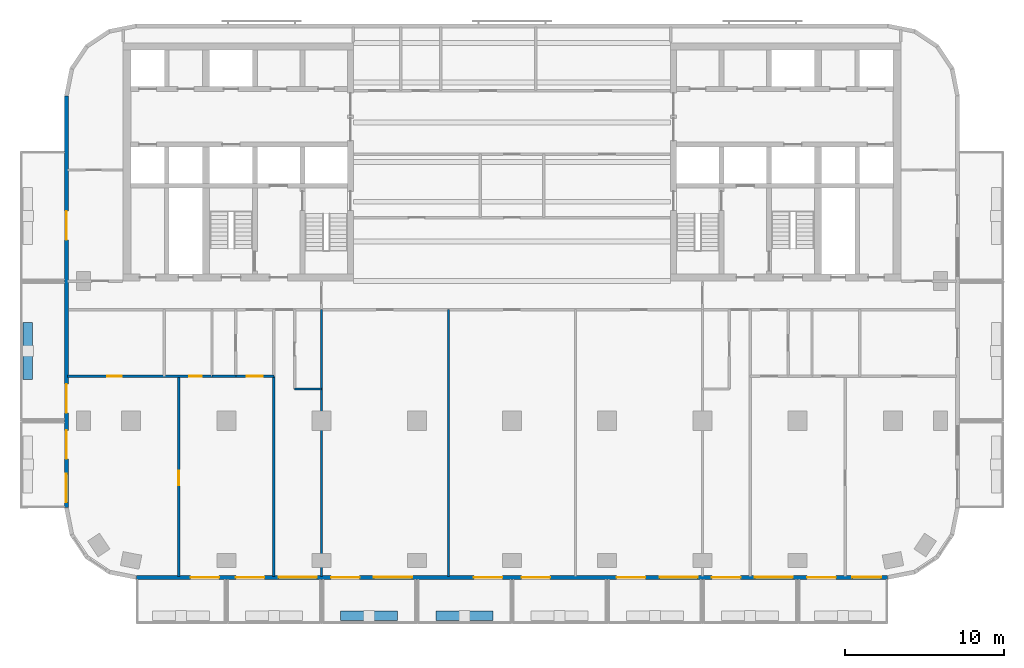
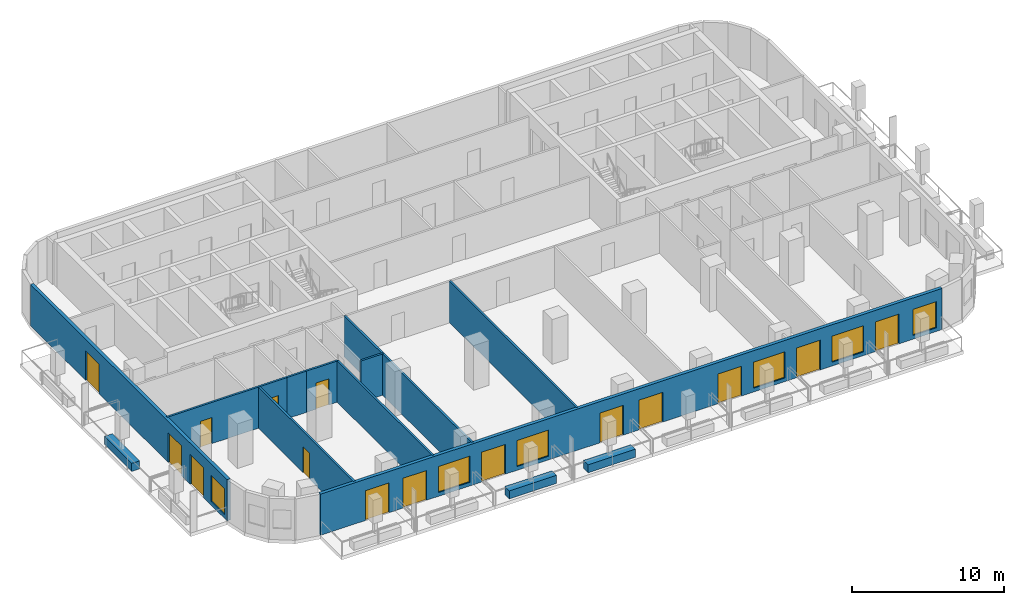
# One storey, part 2 of 11: 15 doors, 13 walls, 6 windows, 21 openings.
"""IFC4 building model written with IfcOpenShell, lengths in metres."""

from ifc_helpers import new_model, si_unit, direction, frame, frame_2d, origin, place, context, subcontext, project, spatial, rectangle, extrude, material, layer, layer_set, type_object, element, fill, save


model = new_model("IFC4")

# Units and contexts
model_context = context("Model", 3, precision=1e-05, world=origin(), true_north=direction((0.0, 1.0)))
body_context = subcontext(model_context, "Body", "Model", "MODEL_VIEW")
ifc_project = project(units=[si_unit("LENGTHUNIT", "METRE"), si_unit("AREAUNIT", "SQUARE_METRE"), si_unit("VOLUMEUNIT", "CUBIC_METRE"), si_unit("PLANEANGLEUNIT", "RADIAN"), si_unit("MASSUNIT", "GRAM", prefix="KILO")], contexts=[model_context])

# Site, building, storey
site_placement = place(None, origin())
site = spatial("IfcSite", under=ifc_project, at=site_placement, CompositionType="ELEMENT")
building_placement = place(site_placement, origin())
building = spatial("IfcBuilding", under=site, at=building_placement, Name="Torana Hotel and Residences", CompositionType="ELEMENT")
storey_placement = place(building_placement, frame((0.0, 0.0, 148.800048828125)))
storey = spatial("IfcBuildingStorey", under=building, at=storey_placement, Name="L38", CompositionType="ELEMENT", Elevation=148.800048828125)

# Wall, openings, doors, window
ifc_material_1 = material(Name="Black aluminium composite panel", Category="aluminium")
ifc_layer_1 = layer(ifc_material_1, 0.00390625, Name="Cladding", Category="cladding")
ifc_material_2 = material(Name="Ventilated air cavity")
ifc_layer_2 = layer(ifc_material_2, 0.0400390625, Name="Ventilated cavity", Category="cavity")
ifc_material_3 = material(Name="Mineral wool insulation")
ifc_layer_3 = layer(ifc_material_3, 0.090087890625, Name="Insulation", Category="insulation")
ifc_material_4 = material(Name="Steel S280GD", Category="steel")
ifc_layer_4 = layer(ifc_material_4, 0.092041015625, Name="Steel stud frame", Category="structure")
ifc_material_5 = material(Name="Fire rated plasterboard")
ifc_layer_5 = layer(ifc_material_5, 0.011962890625, Name="Inner board", Category="finish")
ifc_layer_6 = layer(ifc_material_5, 0.011962890625, Name="Second board", Category="finish")
ifc_layer_set_1 = layer_set([ifc_layer_1, ifc_layer_2, ifc_layer_3, ifc_layer_4, ifc_layer_5, ifc_layer_6], Name="EW1 EXTERNAL WALL BLACK METAL CLAD 250")
wall_type_1 = type_object("IfcWallType", Name="EW1 EXTERNAL WALL BLACK METAL CLAD 250", PredefinedType="SOLIDWALL", material=ifc_layer_set_1)
wall_1_placement = place(storey_placement, frame((-28.074951171875, -3.32470703125, 0.0), z_axis=(0.0, 0.0, 1.0), x_axis=(0.0, -1.0, 0.0)))
wall_1 = element("IfcWall", 1, at=wall_1_placement, inside=storey, type_object=wall_type_1, Name="External wall L38 e0.9", PredefinedType="SOLIDWALL", context=body_context, shape_type="SweptSolid", body=[
    extrude(rectangle(XDim=25.95068359375, YDim=0.25, at=frame_2d((12.975341796875, 0.0))), origin(), (0.0, 0.0, 1.0), 3.320068359375),
])
opening_1_placement = place(wall_1_placement, frame((7.275390625, 0.0, 0.0)))
opening_1 = element("IfcOpeningElement", 2, at=opening_1_placement, cuts=wall_1, Name="Opening L38-E12", PredefinedType="OPENING", context=body_context, shape_type="SweptSolid", body=[
    extrude(rectangle(XDim=1.800048828125, YDim=2.39990234375, at=frame_2d((0.89990234375, 1.199951171875))), frame((0.0, 0.135009765625, 0.0), z_axis=(0.0, -1.0, 0.0), x_axis=(1.0, 0.0, 0.0)), (0.0, 0.0, 1.0), 0.27001953125),
])
opening_2_placement = place(wall_1_placement, frame((18.17529296875, 0.0, 0.0)))
opening_2 = element("IfcOpeningElement", 3, at=opening_2_placement, cuts=wall_1, Name="Opening L38-E13", PredefinedType="OPENING", context=body_context, shape_type="SweptSolid", body=[
    extrude(rectangle(XDim=1.800048828125, YDim=2.39990234375, at=frame_2d((0.89990234375, 1.199951171875))), frame((0.0, 0.135009765625, 0.0), z_axis=(0.0, -1.0, 0.0), x_axis=(1.0, 0.0, 0.0)), (0.0, 0.0, 1.0), 0.27001953125),
])
opening_3_placement = place(wall_1_placement, frame((21.075439453125, 0.0, 0.0)))
opening_3 = element("IfcOpeningElement", 4, at=opening_3_placement, cuts=wall_1, Name="Opening L38-E14", PredefinedType="OPENING", context=body_context, shape_type="SweptSolid", body=[
    extrude(rectangle(XDim=1.800048828125, YDim=2.39990234375, at=frame_2d((0.89990234375, 1.199951171875))), frame((0.0, 0.135009765625, 0.0), z_axis=(0.0, -1.0, 0.0), x_axis=(1.0, 0.0, 0.0)), (0.0, 0.0, 1.0), 0.27001953125),
])
opening_4_placement = place(wall_1_placement, frame((23.825439453125, 0.0, 0.300048828125)))
opening_4 = element("IfcOpeningElement", 5, at=opening_4_placement, cuts=wall_1, Name="Opening W2", PredefinedType="OPENING", context=body_context, shape_type="SweptSolid", body=[
    extrude(rectangle(XDim=1.800048828125, YDim=2.10009765625, at=frame_2d((0.89990234375, 1.050048828125))), frame((0.0, 0.135009765625, 0.0), z_axis=(0.0, -1.0, 0.0), x_axis=(1.0, 0.0, 0.0)), (0.0, 0.0, 1.0), 0.27001953125),
])
ifc_material_6 = material(Name="Dark glass in black aluminium frame", Category="aluminium")
door_type_1 = type_object("IfcDoorType", Name="DB1 BALCONY DOOR 1800x2400", OperationType="DOUBLE_DOOR_SINGLE_SWING", PredefinedType="DOOR", material=ifc_material_6)
door_1_placement = place(opening_1_placement, origin())
door_1 = element("IfcDoor", 6, at=door_1_placement, inside=storey, type_object=door_type_1, Name="Balcony door L38", OperationType="DOUBLE_DOOR_SINGLE_SWING", OverallHeight=2.39990234375, OverallWidth=1.800048828125, PredefinedType="DOOR", context=body_context, shape_type="SweptSolid", body=[
    extrude(rectangle(XDim=1.800048828125, YDim=2.39990234375, at=frame_2d((0.89990234375, 1.199951171875))), frame((0.0, 0.02490234375, 0.0), z_axis=(0.0, -1.0, 0.0), x_axis=(1.0, 0.0, 0.0)), (0.0, 0.0, 1.0), 0.050048828125),
])
fill(opening_1, door_1)
door_2_placement = place(opening_2_placement, frame((0.89990234375, 0.0, 0.0), z_axis=(0.0, 0.0, 1.0), x_axis=(-1.0, 0.0, 0.0)))
door_2 = element("IfcDoor", 7, at=door_2_placement, inside=storey, type_object=door_type_1, Name="Balcony door L38", OperationType="DOUBLE_DOOR_SINGLE_SWING", OverallHeight=2.39990234375, OverallWidth=1.800048828125, PredefinedType="DOOR", context=body_context, shape_type="SweptSolid", body=[
    extrude(rectangle(XDim=1.800048828125, YDim=2.39990234375, at=frame_2d((0.0, 1.199951171875))), frame((0.0, -0.02490234375, 0.0), z_axis=(0.0, 1.0, 0.0), x_axis=(-1.0, 0.0, 0.0)), (0.0, 0.0, 1.0), 0.050048828125),
])
fill(opening_2, door_2)
door_3_placement = place(opening_3_placement, origin())
door_3 = element("IfcDoor", 8, at=door_3_placement, inside=storey, type_object=door_type_1, Name="Balcony door L38", OperationType="DOUBLE_DOOR_SINGLE_SWING", OverallHeight=2.39990234375, OverallWidth=1.800048828125, PredefinedType="DOOR", context=body_context, shape_type="SweptSolid", body=[
    extrude(rectangle(XDim=1.800048828125, YDim=2.39990234375, at=frame_2d((0.89990234375, 1.199951171875))), frame((0.0, 0.02490234375, 0.0), z_axis=(0.0, -1.0, 0.0), x_axis=(1.0, 0.0, 0.0)), (0.0, 0.0, 1.0), 0.050048828125),
])
fill(opening_3, door_3)
ifc_material_7 = material(Name="Dark glass in black aluminium frame", Category="aluminium")
window_type_1 = type_object("IfcWindowType", Name="W2 HOTEL ROOM WINDOW NARROW 1800x2100", PartitioningType="SINGLE_PANEL", PredefinedType="WINDOW", material=ifc_material_7)
window_1_placement = place(opening_4_placement, origin())
window_1 = element("IfcWindow", 9, at=window_1_placement, inside=storey, type_object=window_type_1, Name="Window L38", OverallHeight=2.10009765625, OverallWidth=1.800048828125, PartitioningType="SINGLE_PANEL", PredefinedType="WINDOW", context=body_context, shape_type="SweptSolid", body=[
    extrude(rectangle(XDim=1.800048828125, YDim=2.10009765625, at=frame_2d((0.89990234375, 1.050048828125))), frame((0.0, 0.030029296875, 0.0), z_axis=(0.0, -1.0, 0.0), x_axis=(1.0, 0.0, 0.0)), (0.0, 0.0, 1.0), 0.06005859375),
])
fill(opening_4, window_1)

# Wall, openings, doors, windows
wall_2_placement = place(storey_placement, frame((-23.67529296875, -33.675048828125, 0.0), z_axis=(0.0, 0.0, 1.0), x_axis=(1.0, 0.0, 0.0)))
wall_2 = element("IfcWall", 10, at=wall_2_placement, inside=storey, type_object=wall_type_1, Name="External wall L38 e0.14", PredefinedType="SOLIDWALL", context=body_context, shape_type="SweptSolid", body=[
    extrude(rectangle(XDim=47.3505859375, YDim=0.25, at=frame_2d((23.67529296875, 0.0))), origin(), (0.0, 0.0, 1.0), 3.320068359375),
])
opening_5_placement = place(wall_2_placement, frame((3.42529296875, 0.0, 0.0)))
opening_5 = element("IfcOpeningElement", 11, at=opening_5_placement, cuts=wall_2, Name="Opening L38-E01", PredefinedType="OPENING", context=body_context, shape_type="SweptSolid", body=[
    extrude(rectangle(XDim=1.800048828125, YDim=2.39990234375, at=frame_2d((0.89990234375, 1.199951171875))), frame((0.0, 0.135009765625, 0.0), z_axis=(0.0, -1.0, 0.0), x_axis=(1.0, 0.0, 0.0)), (0.0, 0.0, 1.0), 0.27001953125),
])
opening_6_placement = place(wall_2_placement, frame((6.275390625, 0.0, 0.0)))
opening_6 = element("IfcOpeningElement", 12, at=opening_6_placement, cuts=wall_2, Name="Opening L38-E02", PredefinedType="OPENING", context=body_context, shape_type="SweptSolid", body=[
    extrude(rectangle(XDim=1.800048828125, YDim=2.39990234375, at=frame_2d((0.89990234375, 1.199951171875))), frame((0.0, 0.135009765625, 0.0), z_axis=(0.0, -1.0, 0.0), x_axis=(1.0, 0.0, 0.0)), (0.0, 0.0, 1.0), 0.27001953125),
])
opening_7_placement = place(wall_2_placement, frame((8.975341796875, 0.0, 0.300048828125)))
opening_7 = element("IfcOpeningElement", 13, at=opening_7_placement, cuts=wall_2, Name="Opening W1", PredefinedType="OPENING", context=body_context, shape_type="SweptSolid", body=[
    extrude(rectangle(XDim=2.39990234375, YDim=2.10009765625, at=frame_2d((1.199951171875, 1.050048828125))), frame((0.0, 0.135009765625, 0.0), z_axis=(0.0, -1.0, 0.0), x_axis=(1.0, 0.0, 0.0)), (0.0, 0.0, 1.0), 0.27001953125),
])
opening_8_placement = place(wall_2_placement, frame((12.275390625, 0.0, 0.0)))
opening_8 = element("IfcOpeningElement", 14, at=opening_8_placement, cuts=wall_2, Name="Opening L38-E03", PredefinedType="OPENING", context=body_context, shape_type="SweptSolid", body=[
    extrude(rectangle(XDim=1.800048828125, YDim=2.39990234375, at=frame_2d((0.89990234375, 1.199951171875))), frame((0.0, 0.135009765625, 0.0), z_axis=(0.0, -1.0, 0.0), x_axis=(1.0, 0.0, 0.0)), (0.0, 0.0, 1.0), 0.27001953125),
])
opening_9_placement = place(wall_2_placement, frame((14.975341796875, 0.0, 0.300048828125)))
opening_9 = element("IfcOpeningElement", 15, at=opening_9_placement, cuts=wall_2, Name="Opening W1", PredefinedType="OPENING", context=body_context, shape_type="SweptSolid", body=[
    extrude(rectangle(XDim=2.39990234375, YDim=2.10009765625, at=frame_2d((1.199951171875, 1.050048828125))), frame((0.0, 0.135009765625, 0.0), z_axis=(0.0, -1.0, 0.0), x_axis=(1.0, 0.0, 0.0)), (0.0, 0.0, 1.0), 0.27001953125),
])
opening_10_placement = place(wall_2_placement, frame((21.275390625, 0.0, 0.0)))
opening_10 = element("IfcOpeningElement", 16, at=opening_10_placement, cuts=wall_2, Name="Opening L38-E04", PredefinedType="OPENING", context=body_context, shape_type="SweptSolid", body=[
    extrude(rectangle(XDim=1.800048828125, YDim=2.39990234375, at=frame_2d((0.89990234375, 1.199951171875))), frame((0.0, 0.135009765625, 0.0), z_axis=(0.0, -1.0, 0.0), x_axis=(1.0, 0.0, 0.0)), (0.0, 0.0, 1.0), 0.27001953125),
])
opening_11_placement = place(wall_2_placement, frame((24.275390625, 0.0, 0.0)))
opening_11 = element("IfcOpeningElement", 17, at=opening_11_placement, cuts=wall_2, Name="Opening L38-E05", PredefinedType="OPENING", context=body_context, shape_type="SweptSolid", body=[
    extrude(rectangle(XDim=1.800048828125, YDim=2.39990234375, at=frame_2d((0.89990234375, 1.199951171875))), frame((0.0, 0.135009765625, 0.0), z_axis=(0.0, -1.0, 0.0), x_axis=(1.0, 0.0, 0.0)), (0.0, 0.0, 1.0), 0.27001953125),
])
opening_12_placement = place(wall_2_placement, frame((30.275390625, 0.0, 0.0)))
opening_12 = element("IfcOpeningElement", 18, at=opening_12_placement, cuts=wall_2, Name="Opening L38-E06", PredefinedType="OPENING", context=body_context, shape_type="SweptSolid", body=[
    extrude(rectangle(XDim=1.800048828125, YDim=2.39990234375, at=frame_2d((0.89990234375, 1.199951171875))), frame((0.0, 0.135009765625, 0.0), z_axis=(0.0, -1.0, 0.0), x_axis=(1.0, 0.0, 0.0)), (0.0, 0.0, 1.0), 0.27001953125),
])
opening_13_placement = place(wall_2_placement, frame((32.975341796875, 0.0, 0.300048828125)))
opening_13 = element("IfcOpeningElement", 19, at=opening_13_placement, cuts=wall_2, Name="Opening W1", PredefinedType="OPENING", context=body_context, shape_type="SweptSolid", body=[
    extrude(rectangle(XDim=2.39990234375, YDim=2.10009765625, at=frame_2d((1.199951171875, 1.050048828125))), frame((0.0, 0.135009765625, 0.0), z_axis=(0.0, -1.0, 0.0), x_axis=(1.0, 0.0, 0.0)), (0.0, 0.0, 1.0), 0.27001953125),
])
opening_14_placement = place(wall_2_placement, frame((36.275390625, 0.0, 0.0)))
opening_14 = element("IfcOpeningElement", 20, at=opening_14_placement, cuts=wall_2, Name="Opening L38-E07", PredefinedType="OPENING", context=body_context, shape_type="SweptSolid", body=[
    extrude(rectangle(XDim=1.800048828125, YDim=2.39990234375, at=frame_2d((0.89990234375, 1.199951171875))), frame((0.0, 0.135009765625, 0.0), z_axis=(0.0, -1.0, 0.0), x_axis=(1.0, 0.0, 0.0)), (0.0, 0.0, 1.0), 0.27001953125),
])
opening_15_placement = place(wall_2_placement, frame((38.975341796875, 0.0, 0.300048828125)))
opening_15 = element("IfcOpeningElement", 21, at=opening_15_placement, cuts=wall_2, Name="Opening W1", PredefinedType="OPENING", context=body_context, shape_type="SweptSolid", body=[
    extrude(rectangle(XDim=2.39990234375, YDim=2.10009765625, at=frame_2d((1.199951171875, 1.050048828125))), frame((0.0, 0.135009765625, 0.0), z_axis=(0.0, -1.0, 0.0), x_axis=(1.0, 0.0, 0.0)), (0.0, 0.0, 1.0), 0.27001953125),
])
opening_16_placement = place(wall_2_placement, frame((42.275390625, 0.0, 0.0)))
opening_16 = element("IfcOpeningElement", 22, at=opening_16_placement, cuts=wall_2, Name="Opening L38-E08", PredefinedType="OPENING", context=body_context, shape_type="SweptSolid", body=[
    extrude(rectangle(XDim=1.800048828125, YDim=2.39990234375, at=frame_2d((0.89990234375, 1.199951171875))), frame((0.0, 0.135009765625, 0.0), z_axis=(0.0, -1.0, 0.0), x_axis=(1.0, 0.0, 0.0)), (0.0, 0.0, 1.0), 0.27001953125),
])
opening_17_placement = place(wall_2_placement, frame((45.12548828125, 0.0, 0.300048828125)))
opening_17 = element("IfcOpeningElement", 23, at=opening_17_placement, cuts=wall_2, Name="Opening W2", PredefinedType="OPENING", context=body_context, shape_type="SweptSolid", body=[
    extrude(rectangle(XDim=1.800048828125, YDim=2.10009765625, at=frame_2d((0.89990234375, 1.050048828125))), frame((0.0, 0.135009765625, 0.0), z_axis=(0.0, -1.0, 0.0), x_axis=(1.0, 0.0, 0.0)), (0.0, 0.0, 1.0), 0.27001953125),
])
door_4_placement = place(opening_5_placement, frame((0.89990234375, 0.0, 0.0), z_axis=(0.0, 0.0, 1.0), x_axis=(-1.0, 0.0, 0.0)))
door_4 = element("IfcDoor", 24, at=door_4_placement, inside=storey, type_object=door_type_1, Name="Balcony door L38", OperationType="DOUBLE_DOOR_SINGLE_SWING", OverallHeight=2.39990234375, OverallWidth=1.800048828125, PredefinedType="DOOR", context=body_context, shape_type="SweptSolid", body=[
    extrude(rectangle(XDim=1.800048828125, YDim=2.39990234375, at=frame_2d((0.0, 1.199951171875))), frame((0.0, -0.02490234375, 0.0), z_axis=(0.0, 1.0, 0.0), x_axis=(-1.0, 0.0, 0.0)), (0.0, 0.0, 1.0), 0.050048828125),
])
fill(opening_5, door_4)
door_5_placement = place(opening_6_placement, origin())
door_5 = element("IfcDoor", 25, at=door_5_placement, inside=storey, type_object=door_type_1, Name="Balcony door L38", OperationType="DOUBLE_DOOR_SINGLE_SWING", OverallHeight=2.39990234375, OverallWidth=1.800048828125, PredefinedType="DOOR", context=body_context, shape_type="SweptSolid", body=[
    extrude(rectangle(XDim=1.800048828125, YDim=2.39990234375, at=frame_2d((0.89990234375, 1.199951171875))), frame((0.0, 0.02490234375, 0.0), z_axis=(0.0, -1.0, 0.0), x_axis=(1.0, 0.0, 0.0)), (0.0, 0.0, 1.0), 0.050048828125),
])
fill(opening_6, door_5)
door_6_placement = place(opening_8_placement, origin())
door_6 = element("IfcDoor", 26, at=door_6_placement, inside=storey, type_object=door_type_1, Name="Balcony door L38", OperationType="DOUBLE_DOOR_SINGLE_SWING", OverallHeight=2.39990234375, OverallWidth=1.800048828125, PredefinedType="DOOR", context=body_context, shape_type="SweptSolid", body=[
    extrude(rectangle(XDim=1.800048828125, YDim=2.39990234375, at=frame_2d((0.89990234375, 1.199951171875))), frame((0.0, 0.02490234375, 0.0), z_axis=(0.0, -1.0, 0.0), x_axis=(1.0, 0.0, 0.0)), (0.0, 0.0, 1.0), 0.050048828125),
])
fill(opening_8, door_6)
door_7_placement = place(opening_10_placement, origin())
door_7 = element("IfcDoor", 27, at=door_7_placement, inside=storey, type_object=door_type_1, Name="Balcony door L38", OperationType="DOUBLE_DOOR_SINGLE_SWING", OverallHeight=2.39990234375, OverallWidth=1.800048828125, PredefinedType="DOOR", context=body_context, shape_type="SweptSolid", body=[
    extrude(rectangle(XDim=1.800048828125, YDim=2.39990234375, at=frame_2d((0.89990234375, 1.199951171875))), frame((0.0, 0.02490234375, 0.0), z_axis=(0.0, -1.0, 0.0), x_axis=(1.0, 0.0, 0.0)), (0.0, 0.0, 1.0), 0.050048828125),
])
fill(opening_10, door_7)
door_8_placement = place(opening_11_placement, origin())
door_8 = element("IfcDoor", 28, at=door_8_placement, inside=storey, type_object=door_type_1, Name="Balcony door L38", OperationType="DOUBLE_DOOR_SINGLE_SWING", OverallHeight=2.39990234375, OverallWidth=1.800048828125, PredefinedType="DOOR", context=body_context, shape_type="SweptSolid", body=[
    extrude(rectangle(XDim=1.800048828125, YDim=2.39990234375, at=frame_2d((0.89990234375, 1.199951171875))), frame((0.0, 0.02490234375, 0.0), z_axis=(0.0, -1.0, 0.0), x_axis=(1.0, 0.0, 0.0)), (0.0, 0.0, 1.0), 0.050048828125),
])
fill(opening_11, door_8)
door_9_placement = place(opening_12_placement, origin())
door_9 = element("IfcDoor", 29, at=door_9_placement, inside=storey, type_object=door_type_1, Name="Balcony door L38", OperationType="DOUBLE_DOOR_SINGLE_SWING", OverallHeight=2.39990234375, OverallWidth=1.800048828125, PredefinedType="DOOR", context=body_context, shape_type="SweptSolid", body=[
    extrude(rectangle(XDim=1.800048828125, YDim=2.39990234375, at=frame_2d((0.89990234375, 1.199951171875))), frame((0.0, 0.02490234375, 0.0), z_axis=(0.0, -1.0, 0.0), x_axis=(1.0, 0.0, 0.0)), (0.0, 0.0, 1.0), 0.050048828125),
])
fill(opening_12, door_9)
door_10_placement = place(opening_14_placement, origin())
door_10 = element("IfcDoor", 30, at=door_10_placement, inside=storey, type_object=door_type_1, Name="Balcony door L38", OperationType="DOUBLE_DOOR_SINGLE_SWING", OverallHeight=2.39990234375, OverallWidth=1.800048828125, PredefinedType="DOOR", context=body_context, shape_type="SweptSolid", body=[
    extrude(rectangle(XDim=1.800048828125, YDim=2.39990234375, at=frame_2d((0.89990234375, 1.199951171875))), frame((0.0, 0.02490234375, 0.0), z_axis=(0.0, -1.0, 0.0), x_axis=(1.0, 0.0, 0.0)), (0.0, 0.0, 1.0), 0.050048828125),
])
fill(opening_14, door_10)
door_11_placement = place(opening_16_placement, origin())
door_11 = element("IfcDoor", 31, at=door_11_placement, inside=storey, type_object=door_type_1, Name="Balcony door L38", OperationType="DOUBLE_DOOR_SINGLE_SWING", OverallHeight=2.39990234375, OverallWidth=1.800048828125, PredefinedType="DOOR", context=body_context, shape_type="SweptSolid", body=[
    extrude(rectangle(XDim=1.800048828125, YDim=2.39990234375, at=frame_2d((0.89990234375, 1.199951171875))), frame((0.0, 0.02490234375, 0.0), z_axis=(0.0, -1.0, 0.0), x_axis=(1.0, 0.0, 0.0)), (0.0, 0.0, 1.0), 0.050048828125),
])
fill(opening_16, door_11)
ifc_material_8 = material(Name="Dark glass in black aluminium frame", Category="aluminium")
window_type_2 = type_object("IfcWindowType", Name="W1 HOTEL ROOM WINDOW 2400x2100", PartitioningType="SINGLE_PANEL", PredefinedType="WINDOW", material=ifc_material_8)
window_2_placement = place(opening_7_placement, origin())
window_2 = element("IfcWindow", 32, at=window_2_placement, inside=storey, type_object=window_type_2, Name="Window L38", OverallHeight=2.10009765625, OverallWidth=2.39990234375, PartitioningType="SINGLE_PANEL", PredefinedType="WINDOW", context=body_context, shape_type="SweptSolid", body=[
    extrude(rectangle(XDim=2.39990234375, YDim=2.10009765625, at=frame_2d((1.199951171875, 1.050048828125))), frame((0.0, 0.030029296875, 0.0), z_axis=(0.0, -1.0, 0.0), x_axis=(1.0, 0.0, 0.0)), (0.0, 0.0, 1.0), 0.06005859375),
])
fill(opening_7, window_2)
window_3_placement = place(opening_9_placement, origin())
window_3 = element("IfcWindow", 33, at=window_3_placement, inside=storey, type_object=window_type_2, Name="Window L38", OverallHeight=2.10009765625, OverallWidth=2.39990234375, PartitioningType="SINGLE_PANEL", PredefinedType="WINDOW", context=body_context, shape_type="SweptSolid", body=[
    extrude(rectangle(XDim=2.39990234375, YDim=2.10009765625, at=frame_2d((1.199951171875, 1.050048828125))), frame((0.0, 0.030029296875, 0.0), z_axis=(0.0, -1.0, 0.0), x_axis=(1.0, 0.0, 0.0)), (0.0, 0.0, 1.0), 0.06005859375),
])
fill(opening_9, window_3)
window_4_placement = place(opening_13_placement, origin())
window_4 = element("IfcWindow", 34, at=window_4_placement, inside=storey, type_object=window_type_2, Name="Window L38", OverallHeight=2.10009765625, OverallWidth=2.39990234375, PartitioningType="SINGLE_PANEL", PredefinedType="WINDOW", context=body_context, shape_type="SweptSolid", body=[
    extrude(rectangle(XDim=2.39990234375, YDim=2.10009765625, at=frame_2d((1.199951171875, 1.050048828125))), frame((0.0, 0.030029296875, 0.0), z_axis=(0.0, -1.0, 0.0), x_axis=(1.0, 0.0, 0.0)), (0.0, 0.0, 1.0), 0.06005859375),
])
fill(opening_13, window_4)
window_5_placement = place(opening_15_placement, origin())
window_5 = element("IfcWindow", 35, at=window_5_placement, inside=storey, type_object=window_type_2, Name="Window L38", OverallHeight=2.10009765625, OverallWidth=2.39990234375, PartitioningType="SINGLE_PANEL", PredefinedType="WINDOW", context=body_context, shape_type="SweptSolid", body=[
    extrude(rectangle(XDim=2.39990234375, YDim=2.10009765625, at=frame_2d((1.199951171875, 1.050048828125))), frame((0.0, 0.030029296875, 0.0), z_axis=(0.0, -1.0, 0.0), x_axis=(1.0, 0.0, 0.0)), (0.0, 0.0, 1.0), 0.06005859375),
])
fill(opening_15, window_5)
window_6_placement = place(opening_17_placement, origin())
window_6 = element("IfcWindow", 36, at=window_6_placement, inside=storey, type_object=window_type_1, Name="Window L38", OverallHeight=2.10009765625, OverallWidth=1.800048828125, PartitioningType="SINGLE_PANEL", PredefinedType="WINDOW", context=body_context, shape_type="SweptSolid", body=[
    extrude(rectangle(XDim=1.800048828125, YDim=2.10009765625, at=frame_2d((0.89990234375, 1.050048828125))), frame((0.0, 0.030029296875, 0.0), z_axis=(0.0, -1.0, 0.0), x_axis=(1.0, 0.0, 0.0)), (0.0, 0.0, 1.0), 0.06005859375),
])
fill(opening_17, window_6)

# Wall, opening, door
ifc_material_9 = material(Name="Gypsum plaster")
ifc_layer_7 = layer(ifc_material_9, 0.014892578125, Name="Plaster", Category="finish")
ifc_material_10 = material(Name="Concrete blockwork", Category="masonry")
ifc_layer_8 = layer(ifc_material_10, 0.1201171875, Name="Blockwork", Category="structure")
ifc_layer_9 = layer(ifc_material_9, 0.014892578125, Name="Plaster", Category="finish")
ifc_layer_set_2 = layer_set([ifc_layer_7, ifc_layer_8, ifc_layer_9], Name="FIRE PARTITION 150 BLOCKWORK")
wall_type_2 = type_object("IfcWallType", Name="FIRE PARTITION 150 BLOCKWORK", PredefinedType="PARTITIONING", material=ifc_layer_set_2)
wall_3_placement = place(storey_placement, frame((-17.39990234375, -21.0, 0.0), z_axis=(0.0, 0.0, 1.0), x_axis=(1.0, 0.0, 0.0)))
wall_3 = element("IfcWall", 37, at=wall_3_placement, inside=storey, type_object=wall_type_2, Name="Partition L38", PredefinedType="PARTITIONING", context=body_context, shape_type="SweptSolid", body=[
    extrude(rectangle(XDim=2.39990234375, YDim=0.14990234375, at=frame_2d((1.199951171875, 0.0))), origin(), (0.0, 0.0, 1.0), 3.320068359375),
])
opening_18_placement = place(wall_3_placement, frame((0.699951171875, 0.0, 0.0)))
opening_18 = element("IfcOpeningElement", 38, at=opening_18_placement, cuts=wall_3, Name="Opening L38-49", PredefinedType="OPENING", context=body_context, shape_type="SweptSolid", body=[
    extrude(rectangle(XDim=1.0, YDim=2.10009765625, at=frame_2d((0.5, 1.050048828125))), frame((0.0, 0.0849609375, 0.0), z_axis=(0.0, -1.0, 0.0), x_axis=(1.0, 0.0, 0.0)), (0.0, 0.0, 1.0), 0.169921875),
])
ifc_material_11 = material(Name="Steel S235", Category="steel")
door_type_2 = type_object("IfcDoorType", Name="ENTRY FIRE DOOR D6 1000x2100", OperationType="SINGLE_SWING_LEFT", PredefinedType="DOOR", material=ifc_material_11)
door_12_placement = place(opening_18_placement, frame((0.5, 0.0, 0.0), z_axis=(0.0, 0.0, 1.0), x_axis=(-1.0, 0.0, 0.0)))
door_12 = element("IfcDoor", 39, at=door_12_placement, inside=storey, type_object=door_type_2, Name="Door L38", OperationType="SINGLE_SWING_RIGHT", OverallHeight=2.10009765625, OverallWidth=1.0, PredefinedType="DOOR", context=body_context, shape_type="SweptSolid", body=[
    extrude(rectangle(XDim=1.0, YDim=2.10009765625, at=frame_2d((0.0, 1.050048828125))), frame((0.0, -0.02490234375, 0.0), z_axis=(0.0, 1.0, 0.0), x_axis=(-1.0, 0.0, 0.0)), (0.0, 0.0, 1.0), 0.050048828125),
])
fill(opening_18, door_12)

# Walls
ifc_material_12 = material(Name="Gypsum plasterboard")
ifc_layer_10 = layer(ifc_material_12, 0.012451171875, Name="Plasterboard", Category="finish")
ifc_layer_11 = layer(ifc_material_12, 0.012451171875, Name="Plasterboard", Category="finish")
ifc_layer_12 = layer(ifc_material_4, 0.10009765625, Name="Steel studs with mineral wool", Category="insulation")
ifc_layer_13 = layer(ifc_material_12, 0.012451171875, Name="Plasterboard", Category="finish")
ifc_layer_14 = layer(ifc_material_12, 0.012451171875, Name="Plasterboard", Category="finish")
ifc_layer_set_3 = layer_set([ifc_layer_10, ifc_layer_11, ifc_layer_12, ifc_layer_13, ifc_layer_14], Name="PARTITION 150 PLASTERBOARD")
wall_type_3 = type_object("IfcWallType", Name="PARTITION 150 PLASTERBOARD", PredefinedType="PARTITIONING", material=ifc_layer_set_3)
for number, where, z_axis, x_axis, name in (
    (40, (-4.0, -33.6201171875, 0.0), (0.0, 0.0, 1.0), (0.0, 1.0, 0.0), "Partition L38"),
    (41, (-12.0, -33.6201171875, 0.0), (0.0, 0.0, 1.0), (0.0, 1.0, 0.0), "Partition L38"),
):
    element("IfcWall", number, at=place(storey_placement, frame(where, z_axis=z_axis, x_axis=x_axis)), inside=storey, type_object=wall_type_3, Name=name, PredefinedType="PARTITIONING", context=body_context, shape_type="SweptSolid", body=[
        extrude(rectangle(XDim=16.820068359375, YDim=0.14990234375, at=frame_2d((8.41015625, 0.0))), origin(), (0.0, 0.0, 1.0), 3.320068359375),
    ])
wall_4_placement = place(storey_placement, frame((-15.0, -33.6201171875, 0.0), z_axis=(0.0, 0.0, 1.0), x_axis=(0.0, 1.0, 0.0)))
element("IfcWall", 42, at=wall_4_placement, inside=storey, type_object=wall_type_3, Name="Partition L38", PredefinedType="PARTITIONING", context=body_context, shape_type="SweptSolid", body=[
    extrude(rectangle(XDim=12.6201171875, YDim=0.14990234375, at=frame_2d((6.31005859375, 0.0))), origin(), (0.0, 0.0, 1.0), 3.320068359375),
])

# Wall, opening, door
wall_5_placement = place(storey_placement, frame((-21.0, -33.6201171875, 0.0), z_axis=(0.0, 0.0, 1.0), x_axis=(0.0, 1.0, 0.0)))
wall_5 = element("IfcWall", 43, at=wall_5_placement, inside=storey, type_object=wall_type_3, Name="Partition L38", PredefinedType="PARTITIONING", context=body_context, shape_type="SweptSolid", body=[
    extrude(rectangle(XDim=12.6201171875, YDim=0.14990234375, at=frame_2d((6.31005859375, 0.0))), origin(), (0.0, 0.0, 1.0), 3.320068359375),
])
opening_19_placement = place(wall_5_placement, frame((5.77001953125, 0.0, 0.0)))
opening_19 = element("IfcOpeningElement", 44, at=opening_19_placement, cuts=wall_5, Name="Opening L38-52", PredefinedType="OPENING", context=body_context, shape_type="SweptSolid", body=[
    extrude(rectangle(XDim=0.89990234375, YDim=2.10009765625, at=frame_2d((0.449951171875, 1.050048828125))), frame((0.0, 0.0849609375, 0.0), z_axis=(0.0, -1.0, 0.0), x_axis=(1.0, 0.0, 0.0)), (0.0, 0.0, 1.0), 0.169921875),
])
ifc_material_13 = material(Name="Timber door, oiled ash", Category="wood")
door_type_3 = type_object("IfcDoorType", Name="ROOM DOOR D7 900x2100", OperationType="SINGLE_SWING_LEFT", PredefinedType="DOOR", material=ifc_material_13)
door_13_placement = place(opening_19_placement, origin())
door_13 = element("IfcDoor", 45, at=door_13_placement, inside=storey, type_object=door_type_3, Name="Door L38", OperationType="SINGLE_SWING_RIGHT", OverallHeight=2.10009765625, OverallWidth=0.89990234375, PredefinedType="DOOR", context=body_context, shape_type="SweptSolid", body=[
    extrude(rectangle(XDim=0.89990234375, YDim=2.10009765625, at=frame_2d((0.449951171875, 1.050048828125))), frame((0.0, 0.02490234375, 0.0), z_axis=(0.0, -1.0, 0.0), x_axis=(1.0, 0.0, 0.0)), (0.0, 0.0, 1.0), 0.050048828125),
])
fill(opening_19, door_13)

# Wall
wall_6_placement = place(storey_placement, frame((-13.699951171875, -21.800048828125, 0.0), z_axis=(0.0, 0.0, 1.0), x_axis=(1.0, 0.0, 0.0)))
element("IfcWall", 46, at=wall_6_placement, inside=storey, type_object=wall_type_3, Name="Partition L38", PredefinedType="PARTITIONING", context=body_context, shape_type="SweptSolid", body=[
    extrude(rectangle(XDim=1.699951171875, YDim=0.14990234375, at=frame_2d((0.85009765625, 0.0))), origin(), (0.0, 0.0, 1.0), 3.320068359375),
])

# Wall, openings, doors
wall_7_placement = place(storey_placement, frame((-28.02001953125, -21.0, 0.0), z_axis=(0.0, 0.0, 1.0), x_axis=(1.0, 0.0, 0.0)))
wall_7 = element("IfcWall", 47, at=wall_7_placement, inside=storey, type_object=wall_type_3, Name="Partition L38", PredefinedType="PARTITIONING", context=body_context, shape_type="SweptSolid", body=[
    extrude(rectangle(XDim=9.1201171875, YDim=0.14990234375, at=frame_2d((4.56005859375, 0.0))), origin(), (0.0, 0.0, 1.0), 3.320068359375),
])
opening_20_placement = place(wall_7_placement, frame((7.669921875, 0.0, 0.0)))
opening_20 = element("IfcOpeningElement", 48, at=opening_20_placement, cuts=wall_7, Name="Opening L38-50", PredefinedType="OPENING", context=body_context, shape_type="SweptSolid", body=[
    extrude(rectangle(XDim=0.800048828125, YDim=2.10009765625, at=frame_2d((0.39990234375, 1.050048828125))), frame((0.0, 0.0849609375, 0.0), z_axis=(0.0, -1.0, 0.0), x_axis=(1.0, 0.0, 0.0)), (0.0, 0.0, 1.0), 0.169921875),
])
opening_21_placement = place(wall_7_placement, frame((2.52001953125, 0.0, 0.0)))
opening_21 = element("IfcOpeningElement", 49, at=opening_21_placement, cuts=wall_7, Name="Opening L38-51", PredefinedType="OPENING", context=body_context, shape_type="SweptSolid", body=[
    extrude(rectangle(XDim=0.89990234375, YDim=2.10009765625, at=frame_2d((0.449951171875, 1.050048828125))), frame((0.0, 0.0849609375, 0.0), z_axis=(0.0, -1.0, 0.0), x_axis=(1.0, 0.0, 0.0)), (0.0, 0.0, 1.0), 0.169921875),
])
ifc_material_14 = material(Name="Timber door, painted", Category="wood")
door_type_4 = type_object("IfcDoorType", Name="BATH DOOR D13 800x2100", OperationType="SINGLE_SWING_LEFT", PredefinedType="DOOR", material=ifc_material_14)
door_14_placement = place(opening_20_placement, origin())
door_14 = element("IfcDoor", 50, at=door_14_placement, inside=storey, type_object=door_type_4, Name="Door L38", OperationType="SINGLE_SWING_LEFT", OverallHeight=2.10009765625, OverallWidth=0.800048828125, PredefinedType="DOOR", context=body_context, shape_type="SweptSolid", body=[
    extrude(rectangle(XDim=0.800048828125, YDim=2.10009765625, at=frame_2d((0.39990234375, 1.050048828125))), frame((0.0, 0.02490234375, 0.0), z_axis=(0.0, -1.0, 0.0), x_axis=(1.0, 0.0, 0.0)), (0.0, 0.0, 1.0), 0.050048828125),
])
fill(opening_20, door_14)
door_15_placement = place(opening_21_placement, origin())
door_15 = element("IfcDoor", 51, at=door_15_placement, inside=storey, type_object=door_type_3, Name="Door L38", OperationType="SINGLE_SWING_RIGHT", OverallHeight=2.10009765625, OverallWidth=0.89990234375, PredefinedType="DOOR", context=body_context, shape_type="SweptSolid", body=[
    extrude(rectangle(XDim=0.89990234375, YDim=2.10009765625, at=frame_2d((0.449951171875, 1.050048828125))), frame((0.0, 0.02490234375, 0.0), z_axis=(0.0, -1.0, 0.0), x_axis=(1.0, 0.0, 0.0)), (0.0, 0.0, 1.0), 0.050048828125),
])
fill(opening_21, door_15)

# Walls
ifc_material_15 = material(Name="Concrete C40/50 precast", Category="concrete")
ifc_layer_15 = layer(ifc_material_15, 0.10009765625, Name="Planter shell", Category="structure")
ifc_material_16 = material(Name="Root resistant membrane")
ifc_layer_16 = layer(ifc_material_16, 0.00390625, Name="Waterproofing membrane", Category="membrane")
ifc_material_17 = material(Name="Drainage board with filter fleece")
ifc_layer_17 = layer(ifc_material_17, 0.02001953125, Name="Drainage board", Category="drainage")
ifc_material_18 = material(Name="Growing medium")
ifc_layer_18 = layer(ifc_material_18, 0.47607421875, Name="Planting substrate", Category="soil")
ifc_layer_set_4 = layer_set([ifc_layer_15, ifc_layer_16, ifc_layer_17, ifc_layer_18], Name="PL1 BALCONY PLANTER 600")
wall_type_4 = type_object("IfcWallType", Name="PL1 BALCONY PLANTER 600", PredefinedType="USERDEFINED", material=ifc_layer_set_4)
for number, where, z_axis, x_axis, name in (
    (52, (-7.199951171875, -36.10009765625, 0.0), (0.0, 0.0, 1.0), (-1.0, 0.0, 0.0), "Planter 03"),
    (53, (-1.199951171875, -36.10009765625, 0.0), (0.0, 0.0, 1.0), (-1.0, 0.0, 0.0), "Planter 04"),
):
    element("IfcWall", number, at=place(storey_placement, frame(where, z_axis=z_axis, x_axis=x_axis)), inside=storey, type_object=wall_type_4, Name=name, ObjectType="PLANTER", PredefinedType="USERDEFINED", context=body_context, shape_type="SweptSolid", body=[
        extrude(rectangle(XDim=3.60009765625, YDim=0.60009765625, at=frame_2d((1.800048828125, 0.0))), origin(), (0.0, 0.0, 1.0), 0.64990234375),
    ])
wall_8_placement = place(storey_placement, frame((-30.5, -21.199951171875, 0.0), z_axis=(0.0, 0.0, 1.0), x_axis=(0.0, 1.0, 0.0)))
element("IfcWall", 54, at=wall_8_placement, inside=storey, type_object=wall_type_4, Name="Planter 10", ObjectType="PLANTER", PredefinedType="USERDEFINED", context=body_context, shape_type="SweptSolid", body=[
    extrude(rectangle(XDim=3.599853515625, YDim=0.60009765625, at=frame_2d((1.7998046875, 0.0))), origin(), (0.0, 0.0, 1.0), 0.64990234375),
])
ifc_material_19 = material(Name="Ceramic tile on adhesive")
ifc_layer_19 = layer(ifc_material_19, 0.010009765625, Name="Wall tile", Category="finish")
ifc_material_20 = material(Name="Cement render")
ifc_layer_20 = layer(ifc_material_20, 0.010009765625, Name="Render", Category="finish")
ifc_layer_21 = layer(ifc_material_10, 0.110107421875, Name="Blockwork", Category="structure")
ifc_layer_22 = layer(ifc_material_20, 0.010009765625, Name="Render", Category="finish")
ifc_layer_23 = layer(ifc_material_19, 0.010009765625, Name="Wall tile", Category="finish")
ifc_layer_set_5 = layer_set([ifc_layer_19, ifc_layer_20, ifc_layer_21, ifc_layer_22, ifc_layer_23], Name="WC PARTITION 150")
wall_type_5 = type_object("IfcWallType", Name="WC PARTITION 150", PredefinedType="PLUMBINGWALL", material=ifc_layer_set_5)
wall_9_placement = place(storey_placement, frame((-18.89990234375, -21.0, 0.0), z_axis=(0.0, 0.0, 1.0), x_axis=(1.0, 0.0, 0.0)))
element("IfcWall", 55, at=wall_9_placement, inside=storey, type_object=wall_type_5, Name="Partition L38", PredefinedType="PLUMBINGWALL", context=body_context, shape_type="SweptSolid", body=[
    extrude(rectangle(XDim=1.5, YDim=0.14990234375, at=frame_2d((0.75, 0.0))), origin(), (0.0, 0.0, 1.0), 3.320068359375),
])

save(model, "model.ifc")
